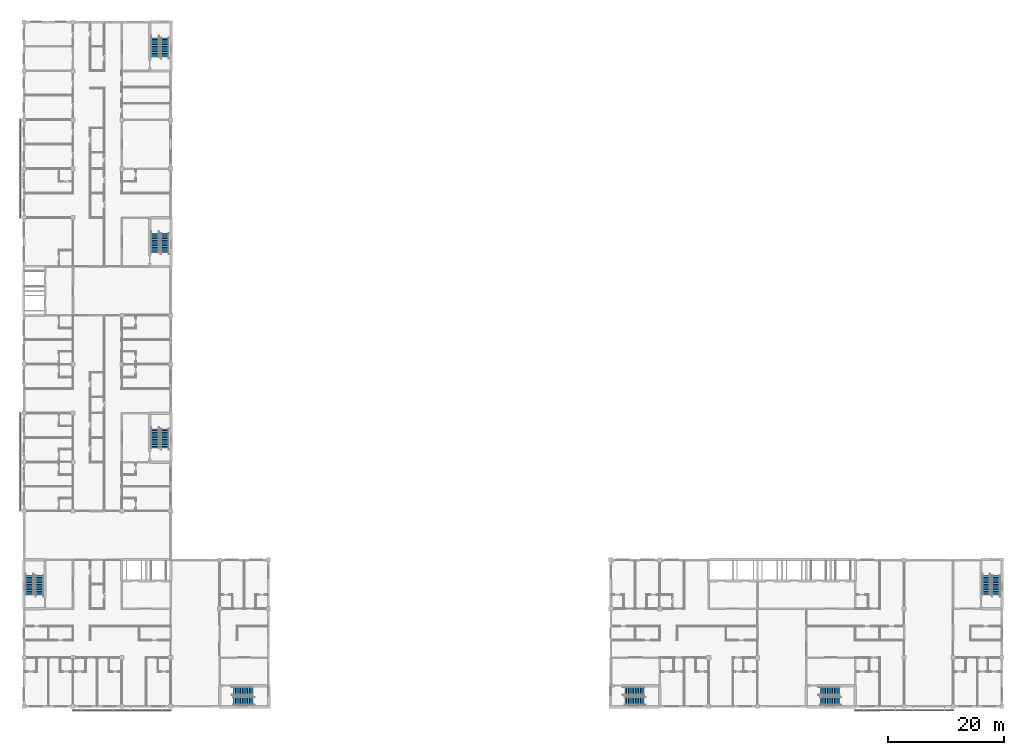
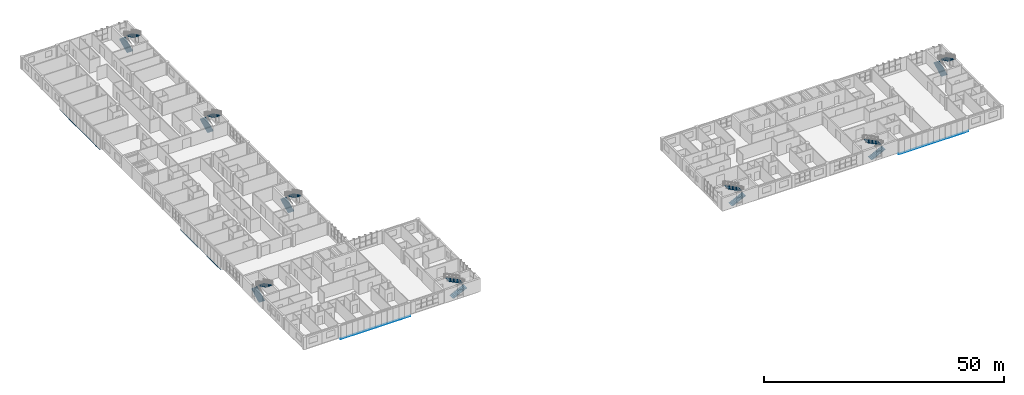
# One storey, part 41 of 48: 16 stair flights, 8 discrete accessories, 8 elements without a shape of their own.
"""IFC4 building model written with IfcOpenShell, lengths in metres."""

from ifc_helpers import new_model, si_unit, direction, frame, origin, origin_2d, place, context, subcontext, project, spatial, polyline, hollow_rectangle, outline, extrude, material, material_profile, profile_set, type_object, element, aggregate, save


model = new_model("IFC4")

# Units and contexts
model_context = context("Model", 3, precision=1e-05, world=origin(), true_north=direction((0.0, 1.0)))
body_context = subcontext(model_context, "Body", "Model", "MODEL_VIEW")
ifc_project = project(units=[si_unit("LENGTHUNIT", "METRE"), si_unit("AREAUNIT", "SQUARE_METRE"), si_unit("VOLUMEUNIT", "CUBIC_METRE"), si_unit("PLANEANGLEUNIT", "RADIAN"), si_unit("MASSUNIT", "GRAM", prefix="KILO")], contexts=[model_context])

# Site, building, storey
site_placement = place(None, origin())
site = spatial("IfcSite", under=ifc_project, at=site_placement, CompositionType="ELEMENT")
building_placement = place(site_placement, origin())
building = spatial("IfcBuilding", under=site, at=building_placement, Name="Yavir Park General Hospital", CompositionType="ELEMENT")
storey_placement = place(building_placement, frame((0.0, 0.0, 26.10009765625)))
storey = spatial("IfcBuildingStorey", under=building, at=storey_placement, Name="L06", CompositionType="ELEMENT", Elevation=26.10009765625)

# Stair, stair flights
ifc_material_1 = material(Name="Concrete C30/37", Category="concrete")
stair_type = type_object("IfcStairType", Name="Patient escape stair, 24 risers of 150 mm, 1400 mm flights", PredefinedType="HALF_TURN_STAIR", material=ifc_material_1)
stair_1_placement = place(storey_placement, origin())
stair_1 = element("IfcStair", 1, at=stair_1_placement, inside=storey, type_object=stair_type, Name="Stair SU1, L06 to RF", PredefinedType="HALF_TURN_STAIR")
ifc_material_2 = material(Name="Concrete C30/37", Category="concrete")
stair_flight_type = type_object("IfcStairFlightType", Name="Patient escape stair flight, 12 risers, 1400 mm wide", PredefinedType="STRAIGHT", material=ifc_material_2)
stair_flight_1_placement = place(storey_placement, frame((0.949951171875, 19.199951171875, 0.0), z_axis=(0.0, 0.0, 1.0), x_axis=(0.0, 1.0, 0.0)))
stair_flight_1 = element("IfcStairFlight", 2, at=stair_flight_1_placement, type_object=stair_flight_type, Name="SU1 flight 1", NumberOfRisers=12, NumberOfTreads=11, PredefinedType="STRAIGHT", RiserHeight=0.15, TreadLength=0.3, context=body_context, shape_type="SweptSolid", body=[
    extrude(outline(polyline([(0.0, 0.0), (0.0, 0.14990234375), (0.300048828125, 0.14990234375), (0.300048828125, 0.300048828125), (0.60009765625, 0.300048828125), (0.60009765625, 0.449951171875), (0.89990234375, 0.449951171875), (0.89990234375, 0.60009765625), (1.199951171875, 0.60009765625), (1.199951171875, 0.75), (1.5, 0.75), (1.5, 0.89990234375), (1.800048828125, 0.89990234375), (1.800048828125, 1.050048828125), (2.10009765625, 1.050048828125), (2.10009765625, 1.199951171875), (2.39990234375, 1.199951171875), (2.39990234375, 1.35009765625), (2.699951171875, 1.35009765625), (2.699951171875, 1.5), (3.0, 1.5), (3.0, 1.64990234375), (3.300048828125, 1.64990234375), (3.300048828125, 1.800048828125), (3.300048828125, 1.47119140625), (0.357666015625, 0.0), (0.0, 0.0)])), frame((0.0, 0.699951171875, 0.0), z_axis=(0.0, -1.0, 0.0), x_axis=(1.0, 0.0, 0.0)), (0.0, 0.0, 1.0), 1.39990234375),
])
stair_flight_2_placement = place(storey_placement, frame((2.64990234375, 22.5, 1.7998046875), z_axis=(0.0, 0.0, 1.0), x_axis=(0.0, -1.0, 0.0)))
stair_flight_2 = element("IfcStairFlight", 3, at=stair_flight_2_placement, type_object=stair_flight_type, Name="SU1 flight 2", NumberOfRisers=12, NumberOfTreads=11, PredefinedType="STRAIGHT", RiserHeight=0.15, TreadLength=0.3, context=body_context, shape_type="SweptSolid", body=[
    extrude(outline(polyline([(0.0, 0.0), (0.0, 0.14990234375), (0.300048828125, 0.14990234375), (0.300048828125, 0.300048828125), (0.60009765625, 0.300048828125), (0.60009765625, 0.449951171875), (0.89990234375, 0.449951171875), (0.89990234375, 0.60009765625), (1.199951171875, 0.60009765625), (1.199951171875, 0.75), (1.5, 0.75), (1.5, 0.89990234375), (1.800048828125, 0.89990234375), (1.800048828125, 1.050048828125), (2.10009765625, 1.050048828125), (2.10009765625, 1.199951171875), (2.39990234375, 1.199951171875), (2.39990234375, 1.35009765625), (2.699951171875, 1.35009765625), (2.699951171875, 1.5), (3.0, 1.5), (3.0, 1.64990234375), (3.300048828125, 1.64990234375), (3.300048828125, 1.800048828125), (3.300048828125, 1.47119140625), (0.357666015625, 0.0), (0.0, 0.0)])), frame((0.0, 0.699951171875, 0.0), z_axis=(0.0, -1.0, 0.0), x_axis=(1.0, 0.0, 0.0)), (0.0, 0.0, 1.0), 1.39990234375),
])
aggregate(stair_1, [stair_flight_1, stair_flight_2])

stair_2_placement = place(storey_placement, origin())
stair_2 = element("IfcStair", 4, at=stair_2_placement, inside=storey, type_object=stair_type, Name="Stair SU2, L06 to RF", PredefinedType="HALF_TURN_STAIR")
stair_flight_3_placement = place(storey_placement, frame((36.0, 0.949951171875, 0.0), z_axis=(0.0, 0.0, 1.0), x_axis=(1.0, 0.0, 0.0)))
stair_flight_3 = element("IfcStairFlight", 5, at=stair_flight_3_placement, type_object=stair_flight_type, Name="SU2 flight 1", NumberOfRisers=12, NumberOfTreads=11, PredefinedType="STRAIGHT", RiserHeight=0.15, TreadLength=0.3, context=body_context, shape_type="SweptSolid", body=[
    extrude(outline(polyline([(0.0, 0.0), (0.0, 0.14990234375), (0.300048828125, 0.14990234375), (0.300048828125, 0.300048828125), (0.60009765625, 0.300048828125), (0.60009765625, 0.449951171875), (0.89990234375, 0.449951171875), (0.89990234375, 0.60009765625), (1.199951171875, 0.60009765625), (1.199951171875, 0.75), (1.5, 0.75), (1.5, 0.89990234375), (1.800048828125, 0.89990234375), (1.800048828125, 1.050048828125), (2.10009765625, 1.050048828125), (2.10009765625, 1.199951171875), (2.39990234375, 1.199951171875), (2.39990234375, 1.35009765625), (2.699951171875, 1.35009765625), (2.699951171875, 1.5), (3.0, 1.5), (3.0, 1.64990234375), (3.300048828125, 1.64990234375), (3.300048828125, 1.800048828125), (3.300048828125, 1.47119140625), (0.357666015625, 0.0), (0.0, 0.0)])), frame((0.0, 0.699951171875, 0.0), z_axis=(0.0, -1.0, 0.0), x_axis=(1.0, 0.0, 0.0)), (0.0, 0.0, 1.0), 1.39990234375),
])
stair_flight_4_placement = place(storey_placement, frame((39.300048828125, 2.64990234375, 1.7998046875), z_axis=(0.0, 0.0, 1.0), x_axis=(-1.0, 0.0, 0.0)))
stair_flight_4 = element("IfcStairFlight", 6, at=stair_flight_4_placement, type_object=stair_flight_type, Name="SU2 flight 2", NumberOfRisers=12, NumberOfTreads=11, PredefinedType="STRAIGHT", RiserHeight=0.15, TreadLength=0.3, context=body_context, shape_type="SweptSolid", body=[
    extrude(outline(polyline([(0.0, 0.0), (0.0, 0.14990234375), (0.300048828125, 0.14990234375), (0.300048828125, 0.300048828125), (0.60009765625, 0.300048828125), (0.60009765625, 0.449951171875), (0.89990234375, 0.449951171875), (0.89990234375, 0.60009765625), (1.199951171875, 0.60009765625), (1.199951171875, 0.75), (1.5, 0.75), (1.5, 0.89990234375), (1.800048828125, 0.89990234375), (1.800048828125, 1.050048828125), (2.10009765625, 1.050048828125), (2.10009765625, 1.199951171875), (2.39990234375, 1.199951171875), (2.39990234375, 1.35009765625), (2.699951171875, 1.35009765625), (2.699951171875, 1.5), (3.0, 1.5), (3.0, 1.64990234375), (3.300048828125, 1.64990234375), (3.300048828125, 1.800048828125), (3.300048828125, 1.47119140625), (0.357666015625, 0.0), (0.0, 0.0)])), frame((0.0, 0.699951171875, 0.0), z_axis=(0.0, -1.0, 0.0), x_axis=(1.0, 0.0, 0.0)), (0.0, 0.0, 1.0), 1.39990234375),
])
aggregate(stair_2, [stair_flight_3, stair_flight_4])

stair_3_placement = place(storey_placement, origin())
stair_3 = element("IfcStair", 7, at=stair_3_placement, inside=storey, type_object=stair_type, Name="Stair SU4, L06 to RF", PredefinedType="HALF_TURN_STAIR")
stair_flight_5_placement = place(storey_placement, frame((103.199951171875, 0.949951171875, 0.0), z_axis=(0.0, 0.0, 1.0), x_axis=(1.0, 0.0, 0.0)))
stair_flight_5 = element("IfcStairFlight", 8, at=stair_flight_5_placement, type_object=stair_flight_type, Name="SU4 flight 1", NumberOfRisers=12, NumberOfTreads=11, PredefinedType="STRAIGHT", RiserHeight=0.15, TreadLength=0.3, context=body_context, shape_type="SweptSolid", body=[
    extrude(outline(polyline([(0.0, 0.0), (0.0, 0.14990234375), (0.300048828125, 0.14990234375), (0.300048828125, 0.300048828125), (0.60009765625, 0.300048828125), (0.60009765625, 0.449951171875), (0.89990234375, 0.449951171875), (0.89990234375, 0.60009765625), (1.199951171875, 0.60009765625), (1.199951171875, 0.75), (1.5, 0.75), (1.5, 0.89990234375), (1.800048828125, 0.89990234375), (1.800048828125, 1.050048828125), (2.10009765625, 1.050048828125), (2.10009765625, 1.199951171875), (2.39990234375, 1.199951171875), (2.39990234375, 1.35009765625), (2.699951171875, 1.35009765625), (2.699951171875, 1.5), (3.0, 1.5), (3.0, 1.64990234375), (3.300048828125, 1.64990234375), (3.300048828125, 1.800048828125), (3.300048828125, 1.47119140625), (0.357666015625, 0.0), (0.0, 0.0)])), frame((0.0, 0.699951171875, 0.0), z_axis=(0.0, -1.0, 0.0), x_axis=(1.0, 0.0, 0.0)), (0.0, 0.0, 1.0), 1.39990234375),
])
stair_flight_6_placement = place(storey_placement, frame((106.5, 2.64990234375, 1.7998046875), z_axis=(0.0, 0.0, 1.0), x_axis=(-1.0, 0.0, 0.0)))
stair_flight_6 = element("IfcStairFlight", 9, at=stair_flight_6_placement, type_object=stair_flight_type, Name="SU4 flight 2", NumberOfRisers=12, NumberOfTreads=11, PredefinedType="STRAIGHT", RiserHeight=0.15, TreadLength=0.3, context=body_context, shape_type="SweptSolid", body=[
    extrude(outline(polyline([(0.0, 0.0), (0.0, 0.14990234375), (0.300048828125, 0.14990234375), (0.300048828125, 0.300048828125), (0.60009765625, 0.300048828125), (0.60009765625, 0.449951171875), (0.89990234375, 0.449951171875), (0.89990234375, 0.60009765625), (1.199951171875, 0.60009765625), (1.199951171875, 0.75), (1.5, 0.75), (1.5, 0.89990234375), (1.800048828125, 0.89990234375), (1.800048828125, 1.050048828125), (2.10009765625, 1.050048828125), (2.10009765625, 1.199951171875), (2.39990234375, 1.199951171875), (2.39990234375, 1.35009765625), (2.699951171875, 1.35009765625), (2.699951171875, 1.5), (3.0, 1.5), (3.0, 1.64990234375), (3.300048828125, 1.64990234375), (3.300048828125, 1.800048828125), (3.300048828125, 1.47119140625), (0.357666015625, 0.0), (0.0, 0.0)])), frame((0.0, 0.699951171875, 0.0), z_axis=(0.0, -1.0, 0.0), x_axis=(1.0, 0.0, 0.0)), (0.0, 0.0, 1.0), 1.39990234375),
])
aggregate(stair_3, [stair_flight_5, stair_flight_6])

stair_4_placement = place(storey_placement, origin())
stair_4 = element("IfcStair", 10, at=stair_4_placement, inside=storey, type_object=stair_type, Name="Stair SU5, L06 to RF", PredefinedType="HALF_TURN_STAIR")
stair_flight_7_placement = place(storey_placement, frame((136.800048828125, 0.949951171875, 0.0), z_axis=(0.0, 0.0, 1.0), x_axis=(1.0, 0.0, 0.0)))
stair_flight_7 = element("IfcStairFlight", 11, at=stair_flight_7_placement, type_object=stair_flight_type, Name="SU5 flight 1", NumberOfRisers=12, NumberOfTreads=11, PredefinedType="STRAIGHT", RiserHeight=0.15, TreadLength=0.3, context=body_context, shape_type="SweptSolid", body=[
    extrude(outline(polyline([(0.0, 0.0), (0.0, 0.14990234375), (0.300048828125, 0.14990234375), (0.300048828125, 0.300048828125), (0.60009765625, 0.300048828125), (0.60009765625, 0.449951171875), (0.89990234375, 0.449951171875), (0.89990234375, 0.60009765625), (1.199951171875, 0.60009765625), (1.199951171875, 0.75), (1.5, 0.75), (1.5, 0.89990234375), (1.800048828125, 0.89990234375), (1.800048828125, 1.050048828125), (2.10009765625, 1.050048828125), (2.10009765625, 1.199951171875), (2.39990234375, 1.199951171875), (2.39990234375, 1.35009765625), (2.699951171875, 1.35009765625), (2.699951171875, 1.5), (3.0, 1.5), (3.0, 1.64990234375), (3.300048828125, 1.64990234375), (3.300048828125, 1.800048828125), (3.300048828125, 1.47119140625), (0.357666015625, 0.0), (0.0, 0.0)])), frame((0.0, 0.699951171875, 0.0), z_axis=(0.0, -1.0, 0.0), x_axis=(1.0, 0.0, 0.0)), (0.0, 0.0, 1.0), 1.39990234375),
])
stair_flight_8_placement = place(storey_placement, frame((140.10009765625, 2.64990234375, 1.7998046875), z_axis=(0.0, 0.0, 1.0), x_axis=(-1.0, 0.0, 0.0)))
stair_flight_8 = element("IfcStairFlight", 12, at=stair_flight_8_placement, type_object=stair_flight_type, Name="SU5 flight 2", NumberOfRisers=12, NumberOfTreads=11, PredefinedType="STRAIGHT", RiserHeight=0.15, TreadLength=0.3, context=body_context, shape_type="SweptSolid", body=[
    extrude(outline(polyline([(0.0, 0.0), (0.0, 0.14990234375), (0.300048828125, 0.14990234375), (0.300048828125, 0.300048828125), (0.60009765625, 0.300048828125), (0.60009765625, 0.449951171875), (0.89990234375, 0.449951171875), (0.89990234375, 0.60009765625), (1.199951171875, 0.60009765625), (1.199951171875, 0.75), (1.5, 0.75), (1.5, 0.89990234375), (1.800048828125, 0.89990234375), (1.800048828125, 1.050048828125), (2.10009765625, 1.050048828125), (2.10009765625, 1.199951171875), (2.39990234375, 1.199951171875), (2.39990234375, 1.35009765625), (2.699951171875, 1.35009765625), (2.699951171875, 1.5), (3.0, 1.5), (3.0, 1.64990234375), (3.300048828125, 1.64990234375), (3.300048828125, 1.800048828125), (3.300048828125, 1.47119140625), (0.357666015625, 0.0), (0.0, 0.0)])), frame((0.0, 0.699951171875, 0.0), z_axis=(0.0, -1.0, 0.0), x_axis=(1.0, 0.0, 0.0)), (0.0, 0.0, 1.0), 1.39990234375),
])
aggregate(stair_4, [stair_flight_7, stair_flight_8])

stair_5_placement = place(storey_placement, origin())
stair_5 = element("IfcStair", 13, at=stair_5_placement, inside=storey, type_object=stair_type, Name="Stair SU6, L06 to RF", PredefinedType="HALF_TURN_STAIR")
stair_flight_9_placement = place(storey_placement, frame((165.300048828125, 19.199951171875, 0.0), z_axis=(0.0, 0.0, 1.0), x_axis=(0.0, 1.0, 0.0)))
stair_flight_9 = element("IfcStairFlight", 14, at=stair_flight_9_placement, type_object=stair_flight_type, Name="SU6 flight 1", NumberOfRisers=12, NumberOfTreads=11, PredefinedType="STRAIGHT", RiserHeight=0.15, TreadLength=0.3, context=body_context, shape_type="SweptSolid", body=[
    extrude(outline(polyline([(0.0, 0.0), (0.0, 0.14990234375), (0.300048828125, 0.14990234375), (0.300048828125, 0.300048828125), (0.60009765625, 0.300048828125), (0.60009765625, 0.449951171875), (0.89990234375, 0.449951171875), (0.89990234375, 0.60009765625), (1.199951171875, 0.60009765625), (1.199951171875, 0.75), (1.5, 0.75), (1.5, 0.89990234375), (1.800048828125, 0.89990234375), (1.800048828125, 1.050048828125), (2.10009765625, 1.050048828125), (2.10009765625, 1.199951171875), (2.39990234375, 1.199951171875), (2.39990234375, 1.35009765625), (2.699951171875, 1.35009765625), (2.699951171875, 1.5), (3.0, 1.5), (3.0, 1.64990234375), (3.300048828125, 1.64990234375), (3.300048828125, 1.800048828125), (3.300048828125, 1.47119140625), (0.357666015625, 0.0), (0.0, 0.0)])), frame((0.0, 0.699951171875, 0.0), z_axis=(0.0, -1.0, 0.0), x_axis=(1.0, 0.0, 0.0)), (0.0, 0.0, 1.0), 1.39990234375),
])
stair_flight_10_placement = place(storey_placement, frame((167.0, 22.5, 1.7998046875), z_axis=(0.0, 0.0, 1.0), x_axis=(0.0, -1.0, 0.0)))
stair_flight_10 = element("IfcStairFlight", 15, at=stair_flight_10_placement, type_object=stair_flight_type, Name="SU6 flight 2", NumberOfRisers=12, NumberOfTreads=11, PredefinedType="STRAIGHT", RiserHeight=0.15, TreadLength=0.3, context=body_context, shape_type="SweptSolid", body=[
    extrude(outline(polyline([(0.0, 0.0), (0.0, 0.14990234375), (0.300048828125, 0.14990234375), (0.300048828125, 0.300048828125), (0.60009765625, 0.300048828125), (0.60009765625, 0.449951171875), (0.89990234375, 0.449951171875), (0.89990234375, 0.60009765625), (1.199951171875, 0.60009765625), (1.199951171875, 0.75), (1.5, 0.75), (1.5, 0.89990234375), (1.800048828125, 0.89990234375), (1.800048828125, 1.050048828125), (2.10009765625, 1.050048828125), (2.10009765625, 1.199951171875), (2.39990234375, 1.199951171875), (2.39990234375, 1.35009765625), (2.699951171875, 1.35009765625), (2.699951171875, 1.5), (3.0, 1.5), (3.0, 1.64990234375), (3.300048828125, 1.64990234375), (3.300048828125, 1.800048828125), (3.300048828125, 1.47119140625), (0.357666015625, 0.0), (0.0, 0.0)])), frame((0.0, 0.699951171875, 0.0), z_axis=(0.0, -1.0, 0.0), x_axis=(1.0, 0.0, 0.0)), (0.0, 0.0, 1.0), 1.39990234375),
])
aggregate(stair_5, [stair_flight_9, stair_flight_10])

stair_6_placement = place(storey_placement, origin())
stair_6 = element("IfcStair", 16, at=stair_6_placement, inside=storey, type_object=stair_type, Name="Stair SW1, L06 to RF", PredefinedType="HALF_TURN_STAIR")
stair_flight_11_placement = place(storey_placement, frame((22.5, 44.39990234375, 0.0), z_axis=(0.0, 0.0, 1.0), x_axis=(0.0, 1.0, 0.0)))
stair_flight_11 = element("IfcStairFlight", 17, at=stair_flight_11_placement, type_object=stair_flight_type, Name="SW1 flight 1", NumberOfRisers=12, NumberOfTreads=11, PredefinedType="STRAIGHT", RiserHeight=0.15, TreadLength=0.3, context=body_context, shape_type="SweptSolid", body=[
    extrude(outline(polyline([(0.0, 0.0), (0.0, 0.14990234375), (0.300048828125, 0.14990234375), (0.300048828125, 0.300048828125), (0.60009765625, 0.300048828125), (0.60009765625, 0.449951171875), (0.89990234375, 0.449951171875), (0.89990234375, 0.60009765625), (1.199951171875, 0.60009765625), (1.199951171875, 0.75), (1.5, 0.75), (1.5, 0.89990234375), (1.800048828125, 0.89990234375), (1.800048828125, 1.050048828125), (2.10009765625, 1.050048828125), (2.10009765625, 1.199951171875), (2.39990234375, 1.199951171875), (2.39990234375, 1.35009765625), (2.699951171875, 1.35009765625), (2.699951171875, 1.5), (3.0, 1.5), (3.0, 1.64990234375), (3.300048828125, 1.64990234375), (3.300048828125, 1.800048828125), (3.300048828125, 1.47119140625), (0.357666015625, 0.0), (0.0, 0.0)])), frame((0.0, 0.699951171875, 0.0), z_axis=(0.0, -1.0, 0.0), x_axis=(1.0, 0.0, 0.0)), (0.0, 0.0, 1.0), 1.39990234375),
])
stair_flight_12_placement = place(storey_placement, frame((24.199951171875, 47.699951171875, 1.7998046875), z_axis=(0.0, 0.0, 1.0), x_axis=(0.0, -1.0, 0.0)))
stair_flight_12 = element("IfcStairFlight", 18, at=stair_flight_12_placement, type_object=stair_flight_type, Name="SW1 flight 2", NumberOfRisers=12, NumberOfTreads=11, PredefinedType="STRAIGHT", RiserHeight=0.15, TreadLength=0.3, context=body_context, shape_type="SweptSolid", body=[
    extrude(outline(polyline([(0.0, 0.0), (0.0, 0.14990234375), (0.300048828125, 0.14990234375), (0.300048828125, 0.300048828125), (0.60009765625, 0.300048828125), (0.60009765625, 0.449951171875), (0.89990234375, 0.449951171875), (0.89990234375, 0.60009765625), (1.199951171875, 0.60009765625), (1.199951171875, 0.75), (1.5, 0.75), (1.5, 0.89990234375), (1.800048828125, 0.89990234375), (1.800048828125, 1.050048828125), (2.10009765625, 1.050048828125), (2.10009765625, 1.199951171875), (2.39990234375, 1.199951171875), (2.39990234375, 1.35009765625), (2.699951171875, 1.35009765625), (2.699951171875, 1.5), (3.0, 1.5), (3.0, 1.64990234375), (3.300048828125, 1.64990234375), (3.300048828125, 1.800048828125), (3.300048828125, 1.47119140625), (0.357666015625, 0.0), (0.0, 0.0)])), frame((0.0, 0.699951171875, 0.0), z_axis=(0.0, -1.0, 0.0), x_axis=(1.0, 0.0, 0.0)), (0.0, 0.0, 1.0), 1.39990234375),
])
aggregate(stair_6, [stair_flight_11, stair_flight_12])

stair_7_placement = place(storey_placement, origin())
stair_7 = element("IfcStair", 19, at=stair_7_placement, inside=storey, type_object=stair_type, Name="Stair SW2, L06 to RF", PredefinedType="HALF_TURN_STAIR")
stair_flight_13_placement = place(storey_placement, frame((22.5, 78.0, 0.0), z_axis=(0.0, 0.0, 1.0), x_axis=(0.0, 1.0, 0.0)))
stair_flight_13 = element("IfcStairFlight", 20, at=stair_flight_13_placement, type_object=stair_flight_type, Name="SW2 flight 1", NumberOfRisers=12, NumberOfTreads=11, PredefinedType="STRAIGHT", RiserHeight=0.15, TreadLength=0.3, context=body_context, shape_type="SweptSolid", body=[
    extrude(outline(polyline([(0.0, 0.0), (0.0, 0.14990234375), (0.300048828125, 0.14990234375), (0.300048828125, 0.300048828125), (0.60009765625, 0.300048828125), (0.60009765625, 0.449951171875), (0.89990234375, 0.449951171875), (0.89990234375, 0.60009765625), (1.199951171875, 0.60009765625), (1.199951171875, 0.75), (1.5, 0.75), (1.5, 0.89990234375), (1.800048828125, 0.89990234375), (1.800048828125, 1.050048828125), (2.10009765625, 1.050048828125), (2.10009765625, 1.199951171875), (2.39990234375, 1.199951171875), (2.39990234375, 1.35009765625), (2.699951171875, 1.35009765625), (2.699951171875, 1.5), (3.0, 1.5), (3.0, 1.64990234375), (3.300048828125, 1.64990234375), (3.300048828125, 1.800048828125), (3.300048828125, 1.47119140625), (0.357666015625, 0.0), (0.0, 0.0)])), frame((0.0, 0.699951171875, 0.0), z_axis=(0.0, -1.0, 0.0), x_axis=(1.0, 0.0, 0.0)), (0.0, 0.0, 1.0), 1.39990234375),
])
stair_flight_14_placement = place(storey_placement, frame((24.199951171875, 81.300048828125, 1.7998046875), z_axis=(0.0, 0.0, 1.0), x_axis=(0.0, -1.0, 0.0)))
stair_flight_14 = element("IfcStairFlight", 21, at=stair_flight_14_placement, type_object=stair_flight_type, Name="SW2 flight 2", NumberOfRisers=12, NumberOfTreads=11, PredefinedType="STRAIGHT", RiserHeight=0.15, TreadLength=0.3, context=body_context, shape_type="SweptSolid", body=[
    extrude(outline(polyline([(0.0, 0.0), (0.0, 0.14990234375), (0.300048828125, 0.14990234375), (0.300048828125, 0.300048828125), (0.60009765625, 0.300048828125), (0.60009765625, 0.449951171875), (0.89990234375, 0.449951171875), (0.89990234375, 0.60009765625), (1.199951171875, 0.60009765625), (1.199951171875, 0.75), (1.5, 0.75), (1.5, 0.89990234375), (1.800048828125, 0.89990234375), (1.800048828125, 1.050048828125), (2.10009765625, 1.050048828125), (2.10009765625, 1.199951171875), (2.39990234375, 1.199951171875), (2.39990234375, 1.35009765625), (2.699951171875, 1.35009765625), (2.699951171875, 1.5), (3.0, 1.5), (3.0, 1.64990234375), (3.300048828125, 1.64990234375), (3.300048828125, 1.800048828125), (3.300048828125, 1.47119140625), (0.357666015625, 0.0), (0.0, 0.0)])), frame((0.0, 0.699951171875, 0.0), z_axis=(0.0, -1.0, 0.0), x_axis=(1.0, 0.0, 0.0)), (0.0, 0.0, 1.0), 1.39990234375),
])
aggregate(stair_7, [stair_flight_13, stair_flight_14])

stair_8_placement = place(storey_placement, origin())
stair_8 = element("IfcStair", 22, at=stair_8_placement, inside=storey, type_object=stair_type, Name="Stair SW3, L06 to RF", PredefinedType="HALF_TURN_STAIR")
stair_flight_15_placement = place(storey_placement, frame((22.5, 111.60009765625, 0.0), z_axis=(0.0, 0.0, 1.0), x_axis=(0.0, 1.0, 0.0)))
stair_flight_15 = element("IfcStairFlight", 23, at=stair_flight_15_placement, type_object=stair_flight_type, Name="SW3 flight 1", NumberOfRisers=12, NumberOfTreads=11, PredefinedType="STRAIGHT", RiserHeight=0.15, TreadLength=0.3, context=body_context, shape_type="SweptSolid", body=[
    extrude(outline(polyline([(0.0, 0.0), (0.0, 0.14990234375), (0.300048828125, 0.14990234375), (0.300048828125, 0.300048828125), (0.60009765625, 0.300048828125), (0.60009765625, 0.449951171875), (0.89990234375, 0.449951171875), (0.89990234375, 0.60009765625), (1.199951171875, 0.60009765625), (1.199951171875, 0.75), (1.5, 0.75), (1.5, 0.89990234375), (1.800048828125, 0.89990234375), (1.800048828125, 1.050048828125), (2.10009765625, 1.050048828125), (2.10009765625, 1.199951171875), (2.39990234375, 1.199951171875), (2.39990234375, 1.35009765625), (2.699951171875, 1.35009765625), (2.699951171875, 1.5), (3.0, 1.5), (3.0, 1.64990234375), (3.300048828125, 1.64990234375), (3.300048828125, 1.800048828125), (3.300048828125, 1.47119140625), (0.357666015625, 0.0), (0.0, 0.0)])), frame((0.0, 0.699951171875, 0.0), z_axis=(0.0, -1.0, 0.0), x_axis=(1.0, 0.0, 0.0)), (0.0, 0.0, 1.0), 1.39990234375),
])
stair_flight_16_placement = place(storey_placement, frame((24.199951171875, 114.89990234375, 1.7998046875), z_axis=(0.0, 0.0, 1.0), x_axis=(0.0, -1.0, 0.0)))
stair_flight_16 = element("IfcStairFlight", 24, at=stair_flight_16_placement, type_object=stair_flight_type, Name="SW3 flight 2", NumberOfRisers=12, NumberOfTreads=11, PredefinedType="STRAIGHT", RiserHeight=0.15, TreadLength=0.3, context=body_context, shape_type="SweptSolid", body=[
    extrude(outline(polyline([(0.0, 0.0), (0.0, 0.14990234375), (0.300048828125, 0.14990234375), (0.300048828125, 0.300048828125), (0.60009765625, 0.300048828125), (0.60009765625, 0.449951171875), (0.89990234375, 0.449951171875), (0.89990234375, 0.60009765625), (1.199951171875, 0.60009765625), (1.199951171875, 0.75), (1.5, 0.75), (1.5, 0.89990234375), (1.800048828125, 0.89990234375), (1.800048828125, 1.050048828125), (2.10009765625, 1.050048828125), (2.10009765625, 1.199951171875), (2.39990234375, 1.199951171875), (2.39990234375, 1.35009765625), (2.699951171875, 1.35009765625), (2.699951171875, 1.5), (3.0, 1.5), (3.0, 1.64990234375), (3.300048828125, 1.64990234375), (3.300048828125, 1.800048828125), (3.300048828125, 1.47119140625), (0.357666015625, 0.0), (0.0, 0.0)])), frame((0.0, 0.699951171875, 0.0), z_axis=(0.0, -1.0, 0.0), x_axis=(1.0, 0.0, 0.0)), (0.0, 0.0, 1.0), 1.39990234375),
])
aggregate(stair_8, [stair_flight_15, stair_flight_16])

# Discrete accessories
ifc_material_3 = material(Name="Steel S355", Category="steel")
ifc_material_profile = material_profile(ifc_material_3, hollow_rectangle(XDim=0.10009765625, YDim=0.06005859375, WallThickness=0.00390625, InnerFilletRadius=0.00390625, OuterFilletRadius=0.008056640625, at=origin_2d()), Name="RHS60x100x4")
ifc_profile_set = profile_set([ifc_material_profile], Name="Steel S355")
discrete_accessory_type = type_object("IfcDiscreteAccessoryType", Name="Screen rail RHS 100 x 60", PredefinedType="BRACKET", material=ifc_profile_set)
discrete_accessory_1_placement = place(storey_placement, frame((8.409912109375, -0.64990234375, -0.030029296875), z_axis=(1.0, 0.0, 0.0), x_axis=(0.0, 1.0, 0.0)))
element("IfcDiscreteAccessory", 25, at=discrete_accessory_1_placement, inside=storey, type_object=discrete_accessory_type, Name="Screen rail S2.4", PredefinedType="BRACKET", context=body_context, shape_type="SweptSolid", body=[
    extrude(hollow_rectangle(XDim=0.10009765625, YDim=0.06005859375, WallThickness=0.00390625, InnerFilletRadius=0.00390625, OuterFilletRadius=0.008056640625, at=origin_2d()), origin(), (0.0, 0.0, 1.0), 8.380126953125),
])
for number, where, z_axis, x_axis, name in (
    (26, (16.81005859375, -0.64990234375, -0.030029296875), (1.0, 0.0, 0.0), (0.0, 1.0, 0.0), "Screen rail S3.4"),
    (27, (142.81005859375, -0.64990234375, -0.030029296875), (1.0, 0.0, 0.0), (0.0, 1.0, 0.0), "Screen rail S18.4"),
):
    element("IfcDiscreteAccessory", number, at=place(storey_placement, frame(where, z_axis=z_axis, x_axis=x_axis)), inside=storey, type_object=discrete_accessory_type, Name=name, PredefinedType="BRACKET", context=body_context, shape_type="SweptSolid", body=[
        extrude(hollow_rectangle(XDim=0.10009765625, YDim=0.06005859375, WallThickness=0.00390625, InnerFilletRadius=0.00390625, OuterFilletRadius=0.008056640625, at=origin_2d()), origin(), (0.0, 0.0, 1.0), 8.3798828125),
    ])
discrete_accessory_2_placement = place(storey_placement, frame((151.2099609375, -0.64990234375, -0.030029296875), z_axis=(1.0, 0.0, 0.0), x_axis=(0.0, 1.0, 0.0)))
element("IfcDiscreteAccessory", 28, at=discrete_accessory_2_placement, inside=storey, type_object=discrete_accessory_type, Name="Screen rail S19.4", PredefinedType="BRACKET", context=body_context, shape_type="SweptSolid", body=[
    extrude(hollow_rectangle(XDim=0.10009765625, YDim=0.06005859375, WallThickness=0.00390625, InnerFilletRadius=0.00390625, OuterFilletRadius=0.008056640625, at=origin_2d()), origin(), (0.0, 0.0, 1.0), 8.380126953125),
])
for number, where, z_axis, x_axis, name in (
    (29, (-0.64990234375, 33.610107421875, -0.030029296875), (0.0, 1.0, 0.0), (-1.0, 0.0, 0.0), "Screen rail W5.4"),
    (30, (-0.64990234375, 42.010009765625, -0.030029296875), (0.0, 1.0, 0.0), (-1.0, 0.0, 0.0), "Screen rail W6.4"),
    (31, (-0.64990234375, 84.010009765625, -0.030029296875), (0.0, 1.0, 0.0), (-1.0, 0.0, 0.0), "Screen rail W11.4"),
):
    element("IfcDiscreteAccessory", number, at=place(storey_placement, frame(where, z_axis=z_axis, x_axis=x_axis)), inside=storey, type_object=discrete_accessory_type, Name=name, PredefinedType="BRACKET", context=body_context, shape_type="SweptSolid", body=[
        extrude(hollow_rectangle(XDim=0.10009765625, YDim=0.06005859375, WallThickness=0.00390625, InnerFilletRadius=0.00390625, OuterFilletRadius=0.008056640625, at=origin_2d()), origin(), (0.0, 0.0, 1.0), 8.3798828125),
    ])
discrete_accessory_3_placement = place(storey_placement, frame((-0.64990234375, 92.409912109375, -0.030029296875), z_axis=(0.0, 1.0, 0.0), x_axis=(-1.0, 0.0, 0.0)))
element("IfcDiscreteAccessory", 32, at=discrete_accessory_3_placement, inside=storey, type_object=discrete_accessory_type, Name="Screen rail W12.4", PredefinedType="BRACKET", context=body_context, shape_type="SweptSolid", body=[
    extrude(hollow_rectangle(XDim=0.10009765625, YDim=0.06005859375, WallThickness=0.00390625, InnerFilletRadius=0.00390625, OuterFilletRadius=0.008056640625, at=origin_2d()), origin(), (0.0, 0.0, 1.0), 8.380126953125),
])

save(model, "model.ifc")
